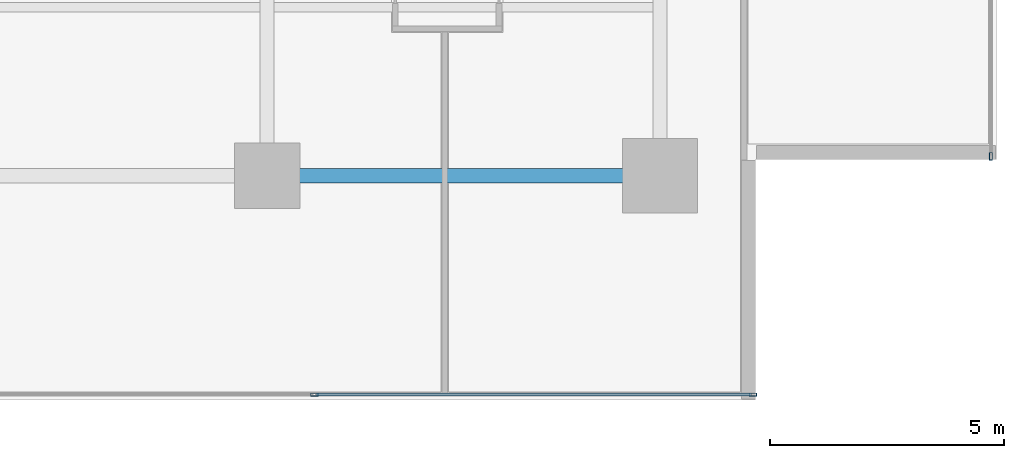
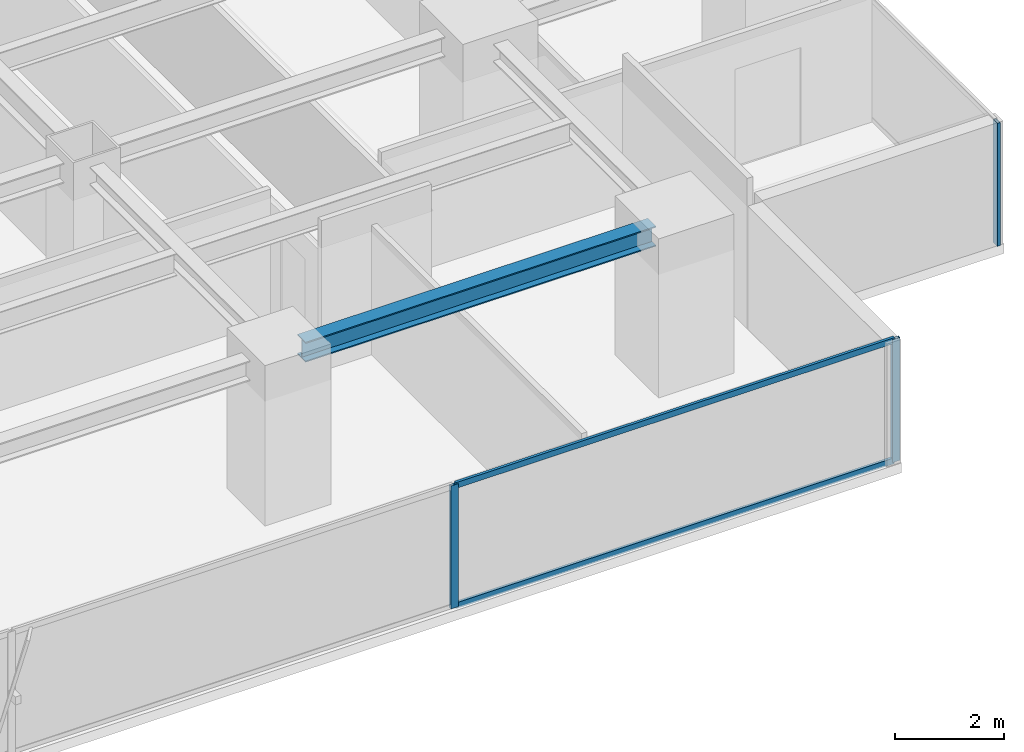
# One storey, part 9 of 28: 5 members, 1 beam, 2 elements without a shape of their own.
"""IFC4 building model written with IfcOpenShell, lengths in metres."""

from ifc_helpers import new_model, si_unit, direction, frame, origin, origin_2d, place, context, subcontext, project, spatial, hollow_rectangle, i_section, extrude, source, transform, mapped, material, layer, layer_set, material_profile, profile_set, type_object, element, aggregate, save


model = new_model("IFC4")

# Units and contexts
model_context = context("Model", 3, precision=1e-05, world=origin(), true_north=direction((0.0, 1.0)))
body_context = subcontext(model_context, "Body", "Model", "MODEL_VIEW")
ifc_project = project(units=[si_unit("LENGTHUNIT", "METRE"), si_unit("AREAUNIT", "SQUARE_METRE"), si_unit("VOLUMEUNIT", "CUBIC_METRE"), si_unit("PLANEANGLEUNIT", "RADIAN"), si_unit("MASSUNIT", "GRAM", prefix="KILO")], contexts=[model_context])

# Site, building, storey
site_placement = place(None, origin())
site = spatial("IfcSite", under=ifc_project, at=site_placement, CompositionType="ELEMENT")
building_placement = place(site_placement, origin())
building = spatial("IfcBuilding", under=site, at=building_placement, Name="Sumidabori Civic Tower", CompositionType="ELEMENT")
storey_placement = place(building_placement, frame((0.0, 0.0, 178.39990234375)))
storey = spatial("IfcBuildingStorey", under=building, at=storey_placement, Name="L46", CompositionType="ELEMENT", Elevation=178.39990234375)

# Beam
ifc_material_1 = material(Name="Steel SN490", Category="steel")
ifc_material_profile_1 = material_profile(ifc_material_1, i_section(OverallWidth=0.300048828125, OverallDepth=0.449951171875, WebThickness=0.013916015625, FlangeThickness=0.02587890625, at=origin_2d()), Name="HE 450 B")
ifc_profile_set_1 = profile_set([ifc_material_profile_1], Name="Steel SN490")
beam_type = type_object("IfcBeamType", Name="BM-GIRD-450", PredefinedType="BEAM", material=ifc_profile_set_1)
shared_shape_1 = source(origin(), body_context, "Body", "SweptSolid", [
    extrude(i_section(OverallWidth=0.300048828125, OverallDepth=0.449951171875, WebThickness=0.013916015625, FlangeThickness=0.02587890625, at=origin_2d()), origin(), (0.0, 0.0, 1.0), 7.440185546875),
])
beam_placement = place(storey_placement, frame((8.8798828125, -18.0, 3.155029296875), z_axis=(1.0, 0.0, 0.0), x_axis=(0.0, 1.0, 0.0)))
element("IfcBeam", 1, at=beam_placement, inside=storey, type_object=beam_type, Name="Primary Girder L46 GX-04", PredefinedType="BEAM", context=body_context, shape_type="MappedRepresentation", body=[
    mapped(shared_shape_1, transform((0.0, 0.0, 0.0), x_axis=(1.0, 0.0, 0.0), y_axis=(0.0, 1.0, 0.0), z_axis=(0.0, 0.0, 1.0), scale=1.0)),
])

# Curtain wall, members
ifc_material_2 = material(Name="Anodised Bronze Aluminium AW-6063-T6", Category="aluminium")
ifc_layer = layer(ifc_material_2, 0.179931640625, Name="Anodised Bronze Aluminium AW-6063-T6")
ifc_layer_set = layer_set([ifc_layer], Name="Anodised Bronze Aluminium AW-6063-T6")
curtain_wall_type = type_object("IfcCurtainWallType", Name="CW-SYS-3", PredefinedType="NOTDEFINED", material=ifc_layer_set)
curtain_wall_1_placement = place(storey_placement, origin())
curtain_wall_1 = element("IfcCurtainWall", 2, at=curtain_wall_1_placement, inside=storey, type_object=curtain_wall_type, Name="Curtain Wall CW:L46:R01", PredefinedType="NOTDEFINED")
ifc_material_profile_2 = material_profile(ifc_material_2, hollow_rectangle(XDim=0.06494140625, YDim=0.159912109375, WallThickness=0.0048828125, at=origin_2d()), Name="ALU MULLION 160x65")
ifc_profile_set_2 = profile_set([ifc_material_profile_2], Name="Anodised Bronze Aluminium AW-6063-T6")
member_type_1 = type_object("IfcMemberType", Name="CW-MUL-160", PredefinedType="MULLION", material=ifc_profile_set_2)
shared_shape_2 = source(origin(), body_context, "Body", "SweptSolid", [
    extrude(hollow_rectangle(XDim=0.06494140625, YDim=0.159912109375, WallThickness=0.0048828125, at=origin_2d()), origin(), (0.0, 0.0, 1.0), 2.760009765625),
])
member_1_placement = place(storey_placement, frame((9.409912109375, -22.679931640625, 0.0), z_axis=(0.0, 0.0, 1.0), x_axis=(0.0, 1.0, 0.0)))
member_1 = element("IfcMember", 3, at=member_1_placement, type_object=member_type_1, Name="CW-3 mullion 4", PredefinedType="MULLION", context=body_context, shape_type="MappedRepresentation", body=[
    mapped(shared_shape_2, transform((0.0, 0.0, 0.0), x_axis=(1.0, 0.0, 0.0), y_axis=(0.0, 1.0, 0.0), z_axis=(0.0, 0.0, 1.0), scale=1.0)),
])
member_2_placement = place(storey_placement, frame((18.78759765625, -22.679931640625, 0.0), z_axis=(0.0, 0.0, 1.0), x_axis=(0.0, 1.0, 0.0)))
member_2 = element("IfcMember", 4, at=member_2_placement, type_object=member_type_1, Name="CW-3 mullion 5", PredefinedType="MULLION", context=body_context, shape_type="MappedRepresentation", body=[
    mapped(shared_shape_2, transform((0.0, 0.0, 0.0), x_axis=(1.0, 0.0, 0.0), y_axis=(0.0, 1.0, 0.0), z_axis=(0.0, 0.0, 1.0), scale=1.0)),
])

# Curtain wall, member
curtain_wall_2_placement = place(storey_placement, origin())
curtain_wall_2 = element("IfcCurtainWall", 5, at=curtain_wall_2_placement, inside=storey, type_object=curtain_wall_type, Name="Curtain Wall CW:L46:R04", PredefinedType="NOTDEFINED")
member_3_placement = place(storey_placement, frame((23.8798828125, -17.58740234375, 0.0), z_axis=(0.0, 0.0, 1.0), x_axis=(-1.0, 0.0, 0.0)))
member_3 = element("IfcMember", 6, at=member_3_placement, type_object=member_type_1, Name="CW-3 mullion 1", PredefinedType="MULLION", context=body_context, shape_type="MappedRepresentation", body=[
    mapped(shared_shape_2, transform((0.0, 0.0, 0.0), x_axis=(1.0, 0.0, 0.0), y_axis=(0.0, 1.0, 0.0), z_axis=(0.0, 0.0, 1.0), scale=1.0)),
])
aggregate(curtain_wall_2, [member_3])

# Member
ifc_material_profile_3 = material_profile(ifc_material_2, hollow_rectangle(XDim=0.06005859375, YDim=0.1298828125, WallThickness=0.0048828125, at=origin_2d()), Name="ALU TRANSOM 130x60")
ifc_profile_set_3 = profile_set([ifc_material_profile_3], Name="Anodised Bronze Aluminium AW-6063-T6")
member_type_2 = type_object("IfcMemberType", Name="CW-TRN-130", PredefinedType="USERDEFINED", material=ifc_profile_set_3)
shared_shape_3 = source(origin(), body_context, "Body", "SweptSolid", [
    extrude(hollow_rectangle(XDim=0.06005859375, YDim=0.1298828125, WallThickness=0.0048828125, at=origin_2d()), origin(), (0.0, 0.0, 1.0), 9.3125),
])
member_4_placement = place(storey_placement, frame((9.4423828125, -22.679931640625, 0.030029296875), z_axis=(1.0, 0.0, 0.0), x_axis=(0.0, 1.0, 0.0)))
member_4 = element("IfcMember", 7, at=member_4_placement, type_object=member_type_2, Name="CW-3 transom 4.1", ObjectType="TRANSOM", PredefinedType="USERDEFINED", context=body_context, shape_type="MappedRepresentation", body=[
    mapped(shared_shape_3, transform((0.0, 0.0, 0.0), x_axis=(1.0, 0.0, 0.0), y_axis=(0.0, 1.0, 0.0), z_axis=(0.0, 0.0, 1.0), scale=1.0)),
])

member_5_placement = place(storey_placement, frame((9.4423828125, -22.679931640625, 2.72998046875), z_axis=(1.0, 0.0, 0.0), x_axis=(0.0, 1.0, 0.0)))
member_5 = element("IfcMember", 8, at=member_5_placement, type_object=member_type_2, Name="CW-3 transom 4.2", ObjectType="TRANSOM", PredefinedType="USERDEFINED", context=body_context, shape_type="MappedRepresentation", body=[
    mapped(shared_shape_3, transform((0.0, 0.0, 0.0), x_axis=(1.0, 0.0, 0.0), y_axis=(0.0, 1.0, 0.0), z_axis=(0.0, 0.0, 1.0), scale=1.0)),
])

aggregate(curtain_wall_1, [member_1, member_2, member_4, member_5])

save(model, "model.ifc")
